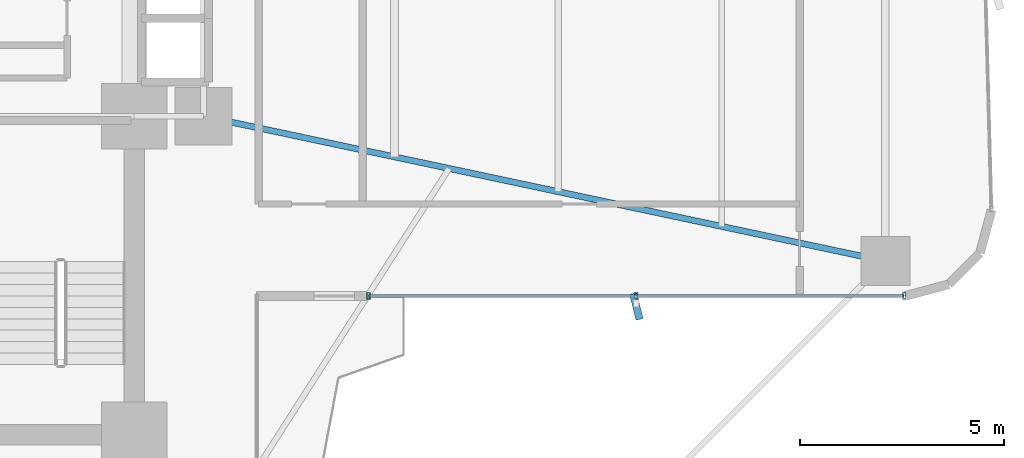
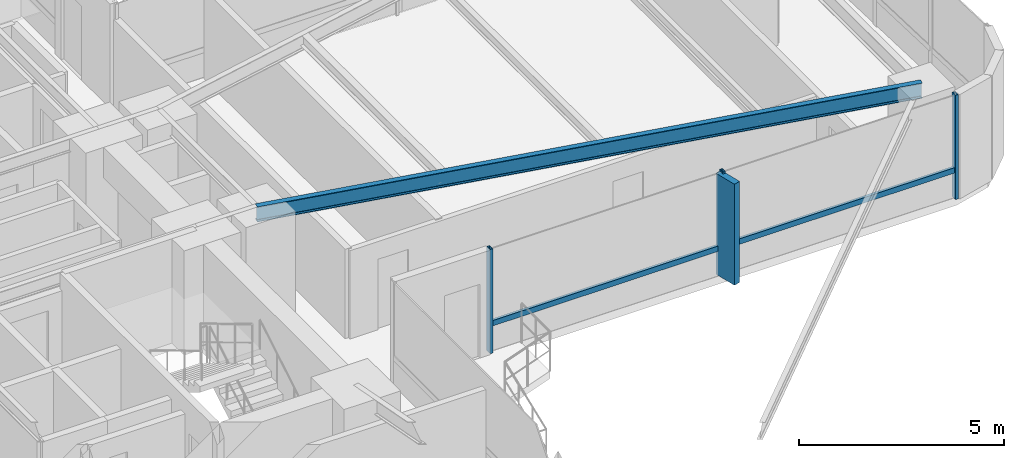
# One storey, part 14 of 25: 6 members, 1 beam, 1 element without a shape of its own.
"""IFC4 building model written with IfcOpenShell, lengths in metres."""

from ifc_helpers import new_model, si_unit, direction, frame, origin, origin_2d, place, context, subcontext, project, spatial, rectangle, hollow_rectangle, i_section, extrude, source, transform, mapped, material, material_profile, profile_set, type_object, element, aggregate, save


model = new_model("IFC4")

# Units and contexts
model_context = context("Model", 3, precision=1e-05, world=origin(), true_north=direction((0.0, 1.0)))
body_context = subcontext(model_context, "Body", "Model", "MODEL_VIEW")
ifc_project = project(units=[si_unit("LENGTHUNIT", "METRE"), si_unit("AREAUNIT", "SQUARE_METRE"), si_unit("VOLUMEUNIT", "CUBIC_METRE"), si_unit("PLANEANGLEUNIT", "RADIAN"), si_unit("MASSUNIT", "GRAM", prefix="KILO")], contexts=[model_context])

# Site, building, storey
site_placement = place(None, origin())
site = spatial("IfcSite", under=ifc_project, at=site_placement, CompositionType="ELEMENT")
building_placement = place(site_placement, origin())
building = spatial("IfcBuilding", under=site, at=building_placement, Name="Sahyath Konkavel Grand Hotel", CompositionType="ELEMENT")
storey_placement = place(building_placement, frame((0.0, 0.0, 39.85009765625)))
storey = spatial("IfcBuildingStorey", under=building, at=storey_placement, Name="L10", CompositionType="ELEMENT", Elevation=39.85009765625)

# Beam
ifc_material_1 = material(Name="Steel E350", Category="steel")
ifc_material_profile_1 = material_profile(ifc_material_1, i_section(OverallWidth=0.14990234375, OverallDepth=0.449951171875, WebThickness=0.009521484375, FlangeThickness=0.017333984375, FilletRadius=0.014892578125, at=origin_2d()), Name="ISMB 450")
ifc_profile_set_1 = profile_set([ifc_material_profile_1], Name="Steel E350")
beam_type = type_object("IfcBeamType", Name="BM-ISMB450", PredefinedType="BEAM", material=ifc_profile_set_1)
shared_shape_1 = source(origin(), body_context, "Body", "SweptSolid", [
    extrude(i_section(OverallWidth=0.14990234375, OverallDepth=0.449951171875, WebThickness=0.009521484375, FlangeThickness=0.017333984375, FilletRadius=0.014892578125, at=origin_2d()), origin(), (0.0, 0.0, 1.0), 17.072998046875),
])
beam_placement = place(storey_placement, frame((5.5, -2.39990234375, 2.885009765625), z_axis=(0.978143257225, -0.20793212437, 0.0), x_axis=(0.20793212437, 0.978143257225, 0.0)))
element("IfcBeam", 1, at=beam_placement, inside=storey, type_object=beam_type, Name="L10 Cruciform Radial Girder EA", PredefinedType="BEAM", context=body_context, shape_type="MappedRepresentation", body=[
    mapped(shared_shape_1, transform((0.0, 0.0, 0.0), scale=1.0)),
])

# Curtain wall, members
ifc_material_2 = material(Name="Anodised Bronze Aluminium & Low-E Glazing", Category="aluminium")
curtain_wall_type = type_object("IfcCurtainWallType", Name="CW-ZONE1", PredefinedType="NOTDEFINED", material=ifc_material_2)
curtain_wall_placement = place(storey_placement, origin())
curtain_wall = element("IfcCurtainWall", 2, at=curtain_wall_placement, inside=storey, type_object=curtain_wall_type, Name="L10 Unitised Curtain Wall F0", PredefinedType="NOTDEFINED")
ifc_material_3 = material(Name="Anodised Bronze Aluminium", Category="aluminium")
ifc_material_profile_2 = material_profile(ifc_material_3, hollow_rectangle(XDim=0.080078125, YDim=0.159912109375, WallThickness=0.006103515625, at=origin_2d()), Name="RHS 160x80x6")
ifc_profile_set_2 = profile_set([ifc_material_profile_2], Name="Anodised Bronze Aluminium")
member_type_1 = type_object("IfcMemberType", Name="CW-MUL-160", PredefinedType="MULLION", material=ifc_profile_set_2)
shared_shape_2 = source(origin(), body_context, "Body", "SweptSolid", [
    extrude(hollow_rectangle(XDim=0.080078125, YDim=0.159912109375, WallThickness=0.006103515625, at=origin_2d()), origin(), (0.0, 0.0, 1.0), 3.10986328125),
])
member_1_placement = place(storey_placement, frame((9.5400390625, -6.800048828125, 0.0), z_axis=(0.0, 0.0, 1.0), x_axis=(1.0, 0.0, 0.0)))
member_1 = element("IfcMember", 3, at=member_1_placement, type_object=member_type_1, Name="L10 Curtain Wall Mullion F0-0", PredefinedType="MULLION", context=body_context, shape_type="MappedRepresentation", body=[
    mapped(shared_shape_2, transform((0.0, 0.0, 0.0), scale=1.0)),
])
member_2_placement = place(storey_placement, frame((16.10009765625, -6.800048828125, 0.0), z_axis=(0.0, 0.0, 1.0), x_axis=(1.0, 0.0, 0.0)))
member_2 = element("IfcMember", 4, at=member_2_placement, type_object=member_type_1, Name="L10 Curtain Wall Mullion F0-1", PredefinedType="MULLION", context=body_context, shape_type="MappedRepresentation", body=[
    mapped(shared_shape_2, transform((0.0, 0.0, 0.0), scale=1.0)),
])
member_3_placement = place(storey_placement, frame((22.659912109375, -6.800048828125, 0.0), z_axis=(0.0, 0.0, 1.0), x_axis=(1.0, 0.0, 0.0)))
member_3 = element("IfcMember", 5, at=member_3_placement, type_object=member_type_1, Name="L10 Curtain Wall Mullion F0-2", PredefinedType="MULLION", context=body_context, shape_type="MappedRepresentation", body=[
    mapped(shared_shape_2, transform((0.0, 0.0, 0.0), scale=1.0)),
])
ifc_material_4 = material(Name="Warm Buff Sandstone Cladding on Concrete C50/60", Category="masonry")
ifc_material_profile_3 = material_profile(ifc_material_4, rectangle(XDim=0.179931640625, YDim=0.64990234375, at=origin_2d()), Name="FIN 180x650")
ifc_profile_set_3 = profile_set([ifc_material_profile_3], Name="Warm Buff Sandstone Cladding on Concrete C50/60")
member_type_2 = type_object("IfcMemberType", Name="FIN-SANDSTONE-650", PredefinedType="MULLION", material=ifc_profile_set_3)
shared_shape_3 = source(origin(), body_context, "Body", "SweptSolid", [
    extrude(rectangle(XDim=0.179931640625, YDim=0.64990234375, at=origin_2d()), origin(), (0.0, 0.0, 1.0), 3.010009765625),
])
member_4_placement = place(storey_placement, frame((16.10009765625, -7.06005859375, 0.0498046875), z_axis=(0.0, 0.0, 1.0), x_axis=(0.971590441254, 0.236668575149, 0.0)))
member_4 = element("IfcMember", 6, at=member_4_placement, type_object=member_type_2, Name="L10 Sandstone Vertical Solar Fin FIN F0-1", PredefinedType="MULLION", context=body_context, shape_type="MappedRepresentation", body=[
    mapped(shared_shape_3, transform((0.0, 0.0, 0.0), scale=1.0)),
])
ifc_material_profile_4 = material_profile(ifc_material_3, hollow_rectangle(XDim=0.080078125, YDim=0.159912109375, WallThickness=0.006103515625, at=origin_2d()), Name="RHS 160x80x6")
ifc_profile_set_4 = profile_set([ifc_material_profile_4], Name="Anodised Bronze Aluminium")
member_type_3 = type_object("IfcMemberType", Name="CW-TRN-160", PredefinedType="USERDEFINED", material=ifc_profile_set_4)
shared_shape_4 = source(origin(), body_context, "Body", "SweptSolid", [
    extrude(hollow_rectangle(XDim=0.080078125, YDim=0.159912109375, WallThickness=0.006103515625, at=origin_2d()), origin(), (0.0, 0.0, 1.0), 6.56005859375),
])
member_5_placement = place(storey_placement, frame((9.5400390625, -6.800048828125, 0.849853515625), z_axis=(1.0, 0.0, 0.0), x_axis=(0.0, 1.0, 0.0)))
member_5 = element("IfcMember", 7, at=member_5_placement, type_object=member_type_3, Name="L10 Curtain Wall Transom F0-0-spandrel", ObjectType="TRANSOM", PredefinedType="USERDEFINED", context=body_context, shape_type="MappedRepresentation", body=[
    mapped(shared_shape_4, transform((0.0, 0.0, 0.0), scale=1.0)),
])
shared_shape_5 = source(origin(), body_context, "Body", "SweptSolid", [
    extrude(hollow_rectangle(XDim=0.080078125, YDim=0.159912109375, WallThickness=0.006103515625, at=origin_2d()), origin(), (0.0, 0.0, 1.0), 6.559814453125),
])
member_6_placement = place(storey_placement, frame((16.10009765625, -6.800048828125, 0.849853515625), z_axis=(1.0, 0.0, 0.0), x_axis=(0.0, 1.0, 0.0)))
member_6 = element("IfcMember", 8, at=member_6_placement, type_object=member_type_3, Name="L10 Curtain Wall Transom F0-1-spandrel", ObjectType="TRANSOM", PredefinedType="USERDEFINED", context=body_context, shape_type="MappedRepresentation", body=[
    mapped(shared_shape_5, transform((0.0, 0.0, 0.0), scale=1.0)),
])
aggregate(curtain_wall, [member_1, member_2, member_4, member_3, member_5, member_6])

save(model, "model.ifc")
